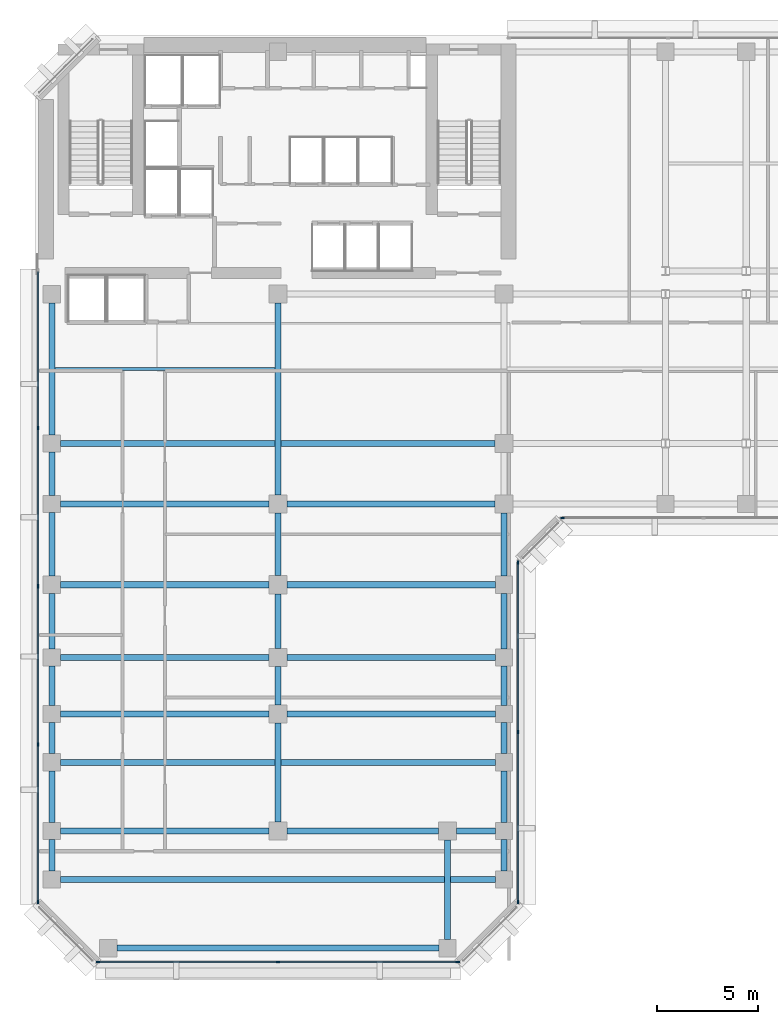
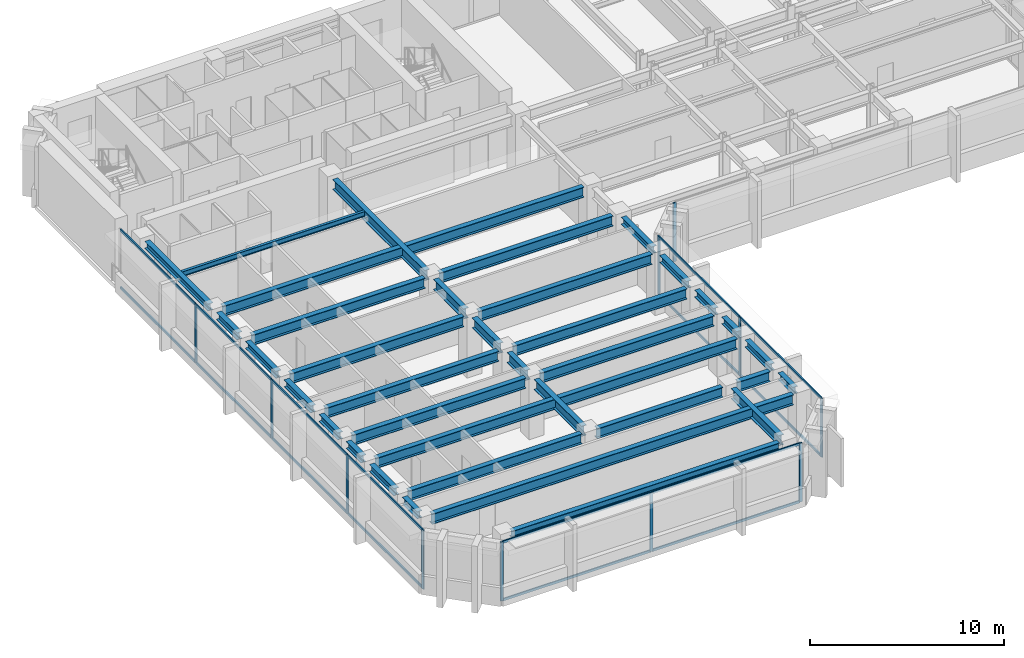
# One storey, part 2 of 11: 36 beams, 27 members, 4 elements without a shape of their own.
"""IFC4 building model written with IfcOpenShell, lengths in metres."""

from ifc_helpers import new_model, si_unit, direction, frame, origin, origin_2d, place, context, subcontext, project, spatial, rectangle, i_section, extrude, material, layer, layer_set, material_profile, profile_set, type_object, element, aggregate, save


model = new_model("IFC4")

# Units and contexts
model_context = context("Model", 3, precision=1e-05, world=origin(), true_north=direction((0.0, 1.0)))
body_context = subcontext(model_context, "Body", "Model", "MODEL_VIEW")
ifc_project = project(units=[si_unit("LENGTHUNIT", "METRE"), si_unit("AREAUNIT", "SQUARE_METRE"), si_unit("VOLUMEUNIT", "CUBIC_METRE"), si_unit("PLANEANGLEUNIT", "RADIAN"), si_unit("MASSUNIT", "GRAM", prefix="KILO")], contexts=[model_context])

# Site, building, storey
site_placement = place(None, origin())
site = spatial("IfcSite", under=ifc_project, at=site_placement, CompositionType="ELEMENT")
building_placement = place(site_placement, origin())
building = spatial("IfcBuilding", under=site, at=building_placement, Name="Kefirva Bronze Tower", CompositionType="ELEMENT")
storey_placement = place(building_placement, frame((0.0, 0.0, 134.969970703125)))
storey = spatial("IfcBuildingStorey", under=building, at=storey_placement, Name="L32", CompositionType="ELEMENT", Elevation=134.969970703125)

# Curtain wall, members
ifc_material_1 = material(Name="Bronze anodised aluminium", Category="aluminium")
ifc_layer = layer(ifc_material_1, 0.199951171875, Name="Bronze anodised aluminium")
ifc_layer_set = layer_set([ifc_layer], Name="Bronze anodised aluminium")
curtain_wall_type = type_object("IfcCurtainWallType", Name="Unitised Bronze Ribbon Curtain Wall Zone 2", PredefinedType="USERDEFINED", material=ifc_layer_set)
curtain_wall_1_placement = place(storey_placement, origin())
curtain_wall_1 = element("IfcCurtainWall", 1, at=curtain_wall_1_placement, inside=storey, type_object=curtain_wall_type, Name="L32 Curtain Wall 1", ObjectType="UNITISED CURTAIN WALL", PredefinedType="USERDEFINED")
ifc_material_profile_1 = material_profile(ifc_material_1, rectangle(XDim=0.074951171875, YDim=0.179931640625, at=origin_2d()), Name="ALU 75x180")
ifc_profile_set_1 = profile_set([ifc_material_profile_1], Name="Bronze anodised aluminium")
member_type_1 = type_object("IfcMemberType", Name="Bronze Mullion 75x180", PredefinedType="MULLION", material=ifc_profile_set_1)
member_1_placement = place(storey_placement, frame((3.092529296875, 0.1201171875, 0.0), z_axis=(0.0, 0.0, 1.0), x_axis=(0.0, 1.0, 0.0)))
member_1 = element("IfcMember", 2, at=member_1_placement, type_object=member_type_1, Name="CW-02 mullion 1", PredefinedType="MULLION", context=body_context, shape_type="SweptSolid", body=[
    extrude(rectangle(XDim=0.074951171875, YDim=0.179931640625, at=origin_2d()), origin(), (0.0, 0.0, 1.0), 3.7099609375),
])
member_2_placement = place(storey_placement, frame((12.0, 0.1201171875, 0.0), z_axis=(0.0, 0.0, 1.0), x_axis=(0.0, 1.0, 0.0)))
member_2 = element("IfcMember", 3, at=member_2_placement, type_object=member_type_1, Name="CW-02 mullion 2", PredefinedType="MULLION", context=body_context, shape_type="SweptSolid", body=[
    extrude(rectangle(XDim=0.074951171875, YDim=0.179931640625, at=origin_2d()), origin(), (0.0, 0.0, 1.0), 3.7099609375),
])
member_3_placement = place(storey_placement, frame((20.907470703125, 0.1201171875, 0.0), z_axis=(0.0, 0.0, 1.0), x_axis=(0.0, 1.0, 0.0)))
member_3 = element("IfcMember", 4, at=member_3_placement, type_object=member_type_1, Name="CW-02 mullion 3", PredefinedType="MULLION", context=body_context, shape_type="SweptSolid", body=[
    extrude(rectangle(XDim=0.074951171875, YDim=0.179931640625, at=origin_2d()), origin(), (0.0, 0.0, 1.0), 3.7099609375),
])

curtain_wall_2_placement = place(storey_placement, origin())
curtain_wall_2 = element("IfcCurtainWall", 5, at=curtain_wall_2_placement, inside=storey, type_object=curtain_wall_type, Name="L32 Curtain Wall 2", ObjectType="UNITISED CURTAIN WALL", PredefinedType="USERDEFINED")
member_4_placement = place(storey_placement, frame((23.8798828125, 3.092529296875, 0.0), z_axis=(0.0, 0.0, 1.0), x_axis=(-1.0, 0.0, 0.0)))
member_4 = element("IfcMember", 6, at=member_4_placement, type_object=member_type_1, Name="CW-02 mullion 1", PredefinedType="MULLION", context=body_context, shape_type="SweptSolid", body=[
    extrude(rectangle(XDim=0.074951171875, YDim=0.179931640625, at=origin_2d()), origin(), (0.0, 0.0, 1.0), 3.7099609375),
])
member_5_placement = place(storey_placement, frame((23.8798828125, 11.5, 0.0), z_axis=(0.0, 0.0, 1.0), x_axis=(-1.0, 0.0, 0.0)))
member_5 = element("IfcMember", 7, at=member_5_placement, type_object=member_type_1, Name="CW-02 mullion 2", PredefinedType="MULLION", context=body_context, shape_type="SweptSolid", body=[
    extrude(rectangle(XDim=0.074951171875, YDim=0.179931640625, at=origin_2d()), origin(), (0.0, 0.0, 1.0), 3.7099609375),
])
member_6_placement = place(storey_placement, frame((23.8798828125, 19.907470703125, 0.0), z_axis=(0.0, 0.0, 1.0), x_axis=(-1.0, 0.0, 0.0)))
member_6 = element("IfcMember", 8, at=member_6_placement, type_object=member_type_1, Name="CW-02 mullion 3", PredefinedType="MULLION", context=body_context, shape_type="SweptSolid", body=[
    extrude(rectangle(XDim=0.074951171875, YDim=0.179931640625, at=origin_2d()), origin(), (0.0, 0.0, 1.0), 3.7099609375),
])

# Curtain wall, member
curtain_wall_3_placement = place(storey_placement, origin())
curtain_wall_3 = element("IfcCurtainWall", 9, at=curtain_wall_3_placement, inside=storey, type_object=curtain_wall_type, Name="L32 Curtain Wall 3", ObjectType="UNITISED CURTAIN WALL", PredefinedType="USERDEFINED")
member_7_placement = place(storey_placement, frame((26.092529296875, 22.1201171875, 0.0), z_axis=(0.0, 0.0, 1.0), x_axis=(0.0, 1.0, 0.0)))
member_7 = element("IfcMember", 10, at=member_7_placement, type_object=member_type_1, Name="CW-02 mullion 1", PredefinedType="MULLION", context=body_context, shape_type="SweptSolid", body=[
    extrude(rectangle(XDim=0.074951171875, YDim=0.179931640625, at=origin_2d()), origin(), (0.0, 0.0, 1.0), 3.7099609375),
])
aggregate(curtain_wall_3, [member_7])

# Curtain wall, members
curtain_wall_4_placement = place(storey_placement, origin())
curtain_wall_4 = element("IfcCurtainWall", 11, at=curtain_wall_4_placement, inside=storey, type_object=curtain_wall_type, Name="L32 Curtain Wall 6", ObjectType="UNITISED CURTAIN WALL", PredefinedType="USERDEFINED")
member_8_placement = place(storey_placement, frame((0.1201171875, 26.56005859375, 0.0), z_axis=(0.0, 0.0, 1.0), x_axis=(1.0, 0.0, 0.0)))
member_8 = element("IfcMember", 12, at=member_8_placement, type_object=member_type_1, Name="CW-02 mullion 2", PredefinedType="MULLION", context=body_context, shape_type="SweptSolid", body=[
    extrude(rectangle(XDim=0.074951171875, YDim=0.179931640625, at=origin_2d()), origin(), (0.0, 0.0, 1.0), 3.7099609375),
])
member_9_placement = place(storey_placement, frame((0.1201171875, 18.72509765625, 0.0), z_axis=(0.0, 0.0, 1.0), x_axis=(1.0, 0.0, 0.0)))
member_9 = element("IfcMember", 13, at=member_9_placement, type_object=member_type_1, Name="CW-02 mullion 3", PredefinedType="MULLION", context=body_context, shape_type="SweptSolid", body=[
    extrude(rectangle(XDim=0.074951171875, YDim=0.179931640625, at=origin_2d()), origin(), (0.0, 0.0, 1.0), 3.7099609375),
])
member_10_placement = place(storey_placement, frame((0.1201171875, 10.889892578125, 0.0), z_axis=(0.0, 0.0, 1.0), x_axis=(1.0, 0.0, 0.0)))
member_10 = element("IfcMember", 14, at=member_10_placement, type_object=member_type_1, Name="CW-02 mullion 4", PredefinedType="MULLION", context=body_context, shape_type="SweptSolid", body=[
    extrude(rectangle(XDim=0.074951171875, YDim=0.179931640625, at=origin_2d()), origin(), (0.0, 0.0, 1.0), 3.7099609375),
])
member_11_placement = place(storey_placement, frame((0.1201171875, 3.092529296875, 0.0), z_axis=(0.0, 0.0, 1.0), x_axis=(1.0, 0.0, 0.0)))
member_11 = element("IfcMember", 15, at=member_11_placement, type_object=member_type_1, Name="CW-02 mullion 5", PredefinedType="MULLION", context=body_context, shape_type="SweptSolid", body=[
    extrude(rectangle(XDim=0.074951171875, YDim=0.179931640625, at=origin_2d()), origin(), (0.0, 0.0, 1.0), 3.7099609375),
])

# Member
ifc_material_profile_2 = material_profile(ifc_material_1, rectangle(XDim=0.074951171875, YDim=0.14990234375, at=origin_2d()), Name="ALU 75x150")
ifc_profile_set_2 = profile_set([ifc_material_profile_2], Name="Bronze anodised aluminium")
member_type_2 = type_object("IfcMemberType", Name="Bronze Transom 75x150", PredefinedType="USERDEFINED", material=ifc_profile_set_2)
member_12_placement = place(storey_placement, frame((3.1298828125, 0.1201171875, 0.03759765625), z_axis=(1.0, 0.0, 0.0), x_axis=(0.0, 1.0, 0.0)))
member_12 = element("IfcMember", 16, at=member_12_placement, type_object=member_type_2, Name="CW-02 transom 1.1", ObjectType="TRANSOM", PredefinedType="USERDEFINED", context=body_context, shape_type="SweptSolid", body=[
    extrude(rectangle(XDim=0.074951171875, YDim=0.14990234375, at=origin_2d()), origin(), (0.0, 0.0, 1.0), 8.83251953125),
])

member_13_placement = place(storey_placement, frame((3.1298828125, 0.1201171875, 3.672607421875), z_axis=(1.0, 0.0, 0.0), x_axis=(0.0, 1.0, 0.0)))
member_13 = element("IfcMember", 17, at=member_13_placement, type_object=member_type_2, Name="CW-02 transom 1.2", ObjectType="TRANSOM", PredefinedType="USERDEFINED", context=body_context, shape_type="SweptSolid", body=[
    extrude(rectangle(XDim=0.074951171875, YDim=0.14990234375, at=origin_2d()), origin(), (0.0, 0.0, 1.0), 8.83251953125),
])

member_14_placement = place(storey_placement, frame((12.03759765625, 0.1201171875, 0.03759765625), z_axis=(1.0, 0.0, 0.0), x_axis=(0.0, 1.0, 0.0)))
member_14 = element("IfcMember", 18, at=member_14_placement, type_object=member_type_2, Name="CW-02 transom 2.1", ObjectType="TRANSOM", PredefinedType="USERDEFINED", context=body_context, shape_type="SweptSolid", body=[
    extrude(rectangle(XDim=0.074951171875, YDim=0.14990234375, at=origin_2d()), origin(), (0.0, 0.0, 1.0), 8.83251953125),
])

member_15_placement = place(storey_placement, frame((12.03759765625, 0.1201171875, 3.672607421875), z_axis=(1.0, 0.0, 0.0), x_axis=(0.0, 1.0, 0.0)))
member_15 = element("IfcMember", 19, at=member_15_placement, type_object=member_type_2, Name="CW-02 transom 2.2", ObjectType="TRANSOM", PredefinedType="USERDEFINED", context=body_context, shape_type="SweptSolid", body=[
    extrude(rectangle(XDim=0.074951171875, YDim=0.14990234375, at=origin_2d()), origin(), (0.0, 0.0, 1.0), 8.83251953125),
])

aggregate(curtain_wall_1, [member_1, member_2, member_3, member_12, member_13, member_14, member_15])

member_16_placement = place(storey_placement, frame((23.8798828125, 3.1298828125, 0.03759765625), z_axis=(0.0, 1.0, 0.0), x_axis=(-1.0, 0.0, 0.0)))
member_16 = element("IfcMember", 20, at=member_16_placement, type_object=member_type_2, Name="CW-02 transom 1.1", ObjectType="TRANSOM", PredefinedType="USERDEFINED", context=body_context, shape_type="SweptSolid", body=[
    extrude(rectangle(XDim=0.074951171875, YDim=0.14990234375, at=origin_2d()), origin(), (0.0, 0.0, 1.0), 8.33251953125),
])

member_17_placement = place(storey_placement, frame((23.8798828125, 3.1298828125, 3.672607421875), z_axis=(0.0, 1.0, 0.0), x_axis=(-1.0, 0.0, 0.0)))
member_17 = element("IfcMember", 21, at=member_17_placement, type_object=member_type_2, Name="CW-02 transom 1.2", ObjectType="TRANSOM", PredefinedType="USERDEFINED", context=body_context, shape_type="SweptSolid", body=[
    extrude(rectangle(XDim=0.074951171875, YDim=0.14990234375, at=origin_2d()), origin(), (0.0, 0.0, 1.0), 8.33251953125),
])

member_18_placement = place(storey_placement, frame((23.8798828125, 11.53759765625, 0.03759765625), z_axis=(0.0, 1.0, 0.0), x_axis=(-1.0, 0.0, 0.0)))
member_18 = element("IfcMember", 22, at=member_18_placement, type_object=member_type_2, Name="CW-02 transom 2.1", ObjectType="TRANSOM", PredefinedType="USERDEFINED", context=body_context, shape_type="SweptSolid", body=[
    extrude(rectangle(XDim=0.074951171875, YDim=0.14990234375, at=origin_2d()), origin(), (0.0, 0.0, 1.0), 8.33251953125),
])

member_19_placement = place(storey_placement, frame((23.8798828125, 11.53759765625, 3.672607421875), z_axis=(0.0, 1.0, 0.0), x_axis=(-1.0, 0.0, 0.0)))
member_19 = element("IfcMember", 23, at=member_19_placement, type_object=member_type_2, Name="CW-02 transom 2.2", ObjectType="TRANSOM", PredefinedType="USERDEFINED", context=body_context, shape_type="SweptSolid", body=[
    extrude(rectangle(XDim=0.074951171875, YDim=0.14990234375, at=origin_2d()), origin(), (0.0, 0.0, 1.0), 8.33251953125),
])

aggregate(curtain_wall_2, [member_4, member_5, member_6, member_16, member_17, member_18, member_19])

member_20_placement = place(storey_placement, frame((0.1201171875, 34.320068359375, 0.03759765625), z_axis=(0.0, -1.0, 0.0), x_axis=(1.0, 0.0, 0.0)))
member_20 = element("IfcMember", 24, at=member_20_placement, type_object=member_type_2, Name="CW-02 transom 1.1", ObjectType="TRANSOM", PredefinedType="USERDEFINED", context=body_context, shape_type="SweptSolid", body=[
    extrude(rectangle(XDim=0.074951171875, YDim=0.14990234375, at=origin_2d()), origin(), (0.0, 0.0, 1.0), 7.72265625),
])

member_21_placement = place(storey_placement, frame((0.1201171875, 34.320068359375, 3.672607421875), z_axis=(0.0, -1.0, 0.0), x_axis=(1.0, 0.0, 0.0)))
member_21 = element("IfcMember", 25, at=member_21_placement, type_object=member_type_2, Name="CW-02 transom 1.2", ObjectType="TRANSOM", PredefinedType="USERDEFINED", context=body_context, shape_type="SweptSolid", body=[
    extrude(rectangle(XDim=0.074951171875, YDim=0.14990234375, at=origin_2d()), origin(), (0.0, 0.0, 1.0), 7.72265625),
])

member_22_placement = place(storey_placement, frame((0.1201171875, 26.5224609375, 0.03759765625), z_axis=(0.0, -1.0, 0.0), x_axis=(1.0, 0.0, 0.0)))
member_22 = element("IfcMember", 26, at=member_22_placement, type_object=member_type_2, Name="CW-02 transom 2.1", ObjectType="TRANSOM", PredefinedType="USERDEFINED", context=body_context, shape_type="SweptSolid", body=[
    extrude(rectangle(XDim=0.074951171875, YDim=0.14990234375, at=origin_2d()), origin(), (0.0, 0.0, 1.0), 7.760009765625),
])

member_23_placement = place(storey_placement, frame((0.1201171875, 26.5224609375, 3.672607421875), z_axis=(0.0, -1.0, 0.0), x_axis=(1.0, 0.0, 0.0)))
member_23 = element("IfcMember", 27, at=member_23_placement, type_object=member_type_2, Name="CW-02 transom 2.2", ObjectType="TRANSOM", PredefinedType="USERDEFINED", context=body_context, shape_type="SweptSolid", body=[
    extrude(rectangle(XDim=0.074951171875, YDim=0.14990234375, at=origin_2d()), origin(), (0.0, 0.0, 1.0), 7.760009765625),
])

member_24_placement = place(storey_placement, frame((0.1201171875, 18.6875, 0.03759765625), z_axis=(0.0, -1.0, 0.0), x_axis=(1.0, 0.0, 0.0)))
member_24 = element("IfcMember", 28, at=member_24_placement, type_object=member_type_2, Name="CW-02 transom 3.1", ObjectType="TRANSOM", PredefinedType="USERDEFINED", context=body_context, shape_type="SweptSolid", body=[
    extrude(rectangle(XDim=0.074951171875, YDim=0.14990234375, at=origin_2d()), origin(), (0.0, 0.0, 1.0), 7.760009765625),
])

member_25_placement = place(storey_placement, frame((0.1201171875, 18.6875, 3.672607421875), z_axis=(0.0, -1.0, 0.0), x_axis=(1.0, 0.0, 0.0)))
member_25 = element("IfcMember", 29, at=member_25_placement, type_object=member_type_2, Name="CW-02 transom 3.2", ObjectType="TRANSOM", PredefinedType="USERDEFINED", context=body_context, shape_type="SweptSolid", body=[
    extrude(rectangle(XDim=0.074951171875, YDim=0.14990234375, at=origin_2d()), origin(), (0.0, 0.0, 1.0), 7.760009765625),
])

member_26_placement = place(storey_placement, frame((0.1201171875, 10.8525390625, 0.03759765625), z_axis=(0.0, -1.0, 0.0), x_axis=(1.0, 0.0, 0.0)))
member_26 = element("IfcMember", 30, at=member_26_placement, type_object=member_type_2, Name="CW-02 transom 4.1", ObjectType="TRANSOM", PredefinedType="USERDEFINED", context=body_context, shape_type="SweptSolid", body=[
    extrude(rectangle(XDim=0.074951171875, YDim=0.14990234375, at=origin_2d()), origin(), (0.0, 0.0, 1.0), 7.72265625),
])

member_27_placement = place(storey_placement, frame((0.1201171875, 10.8525390625, 3.672607421875), z_axis=(0.0, -1.0, 0.0), x_axis=(1.0, 0.0, 0.0)))
member_27 = element("IfcMember", 31, at=member_27_placement, type_object=member_type_2, Name="CW-02 transom 4.2", ObjectType="TRANSOM", PredefinedType="USERDEFINED", context=body_context, shape_type="SweptSolid", body=[
    extrude(rectangle(XDim=0.074951171875, YDim=0.14990234375, at=origin_2d()), origin(), (0.0, 0.0, 1.0), 7.72265625),
])

aggregate(curtain_wall_4, [member_8, member_9, member_10, member_11, member_20, member_21, member_22, member_23, member_24, member_25, member_26, member_27])

# Beams
ifc_material_2 = material(Name="Steel S355", Category="steel")
ifc_material_profile_3 = material_profile(ifc_material_2, i_section(OverallWidth=0.159912109375, OverallDepth=0.330078125, WebThickness=0.007568359375, FlangeThickness=0.011474609375, at=origin_2d()), Name="IPE 330")
ifc_profile_set_3 = profile_set([ifc_material_profile_3], Name="Steel S355")
beam_type_1 = type_object("IfcBeamType", Name="Steel Floor Joist IPE 330", PredefinedType="JOIST", material=ifc_profile_set_3)
beam_1_placement = place(storey_placement, frame((0.949951171875, 29.489990234375, 3.544921875), z_axis=(1.0, 0.0, 0.0), x_axis=(0.0, 1.0, 0.0)))
element("IfcBeam", 32, at=beam_1_placement, inside=storey, type_object=beam_type_1, Name="L32 JST-L32-0-294", PredefinedType="JOIST", context=body_context, shape_type="SweptSolid", body=[
    extrude(i_section(OverallWidth=0.159912109375, OverallDepth=0.330078125, WebThickness=0.007568359375, FlangeThickness=0.011474609375, at=origin_2d()), origin(), (0.0, 0.0, 1.0), 10.900146484375),
])
ifc_material_profile_4 = material_profile(ifc_material_2, i_section(OverallWidth=0.300048828125, OverallDepth=0.64990234375, WebThickness=0.01611328125, FlangeThickness=0.031005859375, at=origin_2d()), Name="HEB 650")
ifc_profile_set_4 = profile_set([ifc_material_profile_4], Name="Steel S355")
beam_type_2 = type_object("IfcBeamType", Name="Steel Girder HEB 650", PredefinedType="USERDEFINED", material=ifc_profile_set_4)
beam_2_placement = place(storey_placement, frame((1.22998046875, 4.199951171875, 3.385009765625), z_axis=(1.0, 0.0, 0.0), x_axis=(0.0, 1.0, 0.0)))
element("IfcBeam", 33, at=beam_2_placement, inside=storey, type_object=beam_type_2, Name="L32 BM-L32-EW-0-42", ObjectType="GIRDER", PredefinedType="USERDEFINED", context=body_context, shape_type="SweptSolid", body=[
    extrude(i_section(OverallWidth=0.300048828125, OverallDepth=0.64990234375, WebThickness=0.01611328125, FlangeThickness=0.031005859375, at=origin_2d()), origin(), (0.0, 0.0, 1.0), 21.5400390625),
])
beam_3_placement = place(storey_placement, frame((1.22998046875, 6.60009765625, 3.385009765625), z_axis=(1.0, 0.0, 0.0), x_axis=(0.0, 1.0, 0.0)))
element("IfcBeam", 34, at=beam_3_placement, inside=storey, type_object=beam_type_2, Name="L32 BM-L32-EW-0-66", ObjectType="GIRDER", PredefinedType="USERDEFINED", context=body_context, shape_type="SweptSolid", body=[
    extrude(i_section(OverallWidth=0.300048828125, OverallDepth=0.64990234375, WebThickness=0.01611328125, FlangeThickness=0.031005859375, at=origin_2d()), origin(), (0.0, 0.0, 1.0), 10.320068359375),
])
beam_4_placement = place(storey_placement, frame((12.449951171875, 6.60009765625, 3.385009765625), z_axis=(1.0, 0.0, 0.0), x_axis=(0.0, 1.0, 0.0)))
element("IfcBeam", 35, at=beam_4_placement, inside=storey, type_object=beam_type_2, Name="L32 BM-L32-EW-12-66", ObjectType="GIRDER", PredefinedType="USERDEFINED", context=body_context, shape_type="SweptSolid", body=[
    extrude(i_section(OverallWidth=0.300048828125, OverallDepth=0.64990234375, WebThickness=0.01611328125, FlangeThickness=0.031005859375, at=origin_2d()), origin(), (0.0, 0.0, 1.0), 7.5),
])
beam_5_placement = place(storey_placement, frame((20.85009765625, 6.60009765625, 3.385009765625), z_axis=(1.0, 0.0, 0.0), x_axis=(0.0, 1.0, 0.0)))
element("IfcBeam", 36, at=beam_5_placement, inside=storey, type_object=beam_type_2, Name="L32 BM-L32-EW-20-66", ObjectType="GIRDER", PredefinedType="USERDEFINED", context=body_context, shape_type="SweptSolid", body=[
    extrude(i_section(OverallWidth=0.300048828125, OverallDepth=0.64990234375, WebThickness=0.01611328125, FlangeThickness=0.031005859375, at=origin_2d()), origin(), (0.0, 0.0, 1.0), 1.919921875),
])
beam_6_placement = place(storey_placement, frame((1.22998046875, 10.0, 3.385009765625), z_axis=(1.0, 0.0, 0.0), x_axis=(0.0, 1.0, 0.0)))
element("IfcBeam", 37, at=beam_6_placement, inside=storey, type_object=beam_type_2, Name="L32 BM-L32-EW-0-100", ObjectType="GIRDER", PredefinedType="USERDEFINED", context=body_context, shape_type="SweptSolid", body=[
    extrude(i_section(OverallWidth=0.300048828125, OverallDepth=0.64990234375, WebThickness=0.01611328125, FlangeThickness=0.031005859375, at=origin_2d()), origin(), (0.0, 0.0, 1.0), 21.5400390625),
])
for number, where, z_axis, x_axis, name in (
    (38, (1.22998046875, 12.39990234375, 3.385009765625), (1.0, 0.0, 0.0), (0.0, 1.0, 0.0), "L32 BM-L32-EW-0-124"),
    (39, (12.449951171875, 12.39990234375, 3.385009765625), (1.0, 0.0, 0.0), (0.0, 1.0, 0.0), "L32 BM-L32-EW-12-124"),
    (40, (1.22998046875, 15.199951171875, 3.385009765625), (1.0, 0.0, 0.0), (0.0, 1.0, 0.0), "L32 BM-L32-EW-0-152"),
    (41, (12.449951171875, 15.199951171875, 3.385009765625), (1.0, 0.0, 0.0), (0.0, 1.0, 0.0), "L32 BM-L32-EW-12-152"),
    (42, (1.22998046875, 18.800048828125, 3.385009765625), (1.0, 0.0, 0.0), (0.0, 1.0, 0.0), "L32 BM-L32-EW-0-188"),
    (43, (12.449951171875, 18.800048828125, 3.385009765625), (1.0, 0.0, 0.0), (0.0, 1.0, 0.0), "L32 BM-L32-EW-12-188"),
    (44, (1.22998046875, 22.800048828125, 3.385009765625), (1.0, 0.0, 0.0), (0.0, 1.0, 0.0), "L32 BM-L32-EW-0-228"),
):
    element("IfcBeam", number, at=place(storey_placement, frame(where, z_axis=z_axis, x_axis=x_axis)), inside=storey, type_object=beam_type_2, Name=name, ObjectType="GIRDER", PredefinedType="USERDEFINED", context=body_context, shape_type="SweptSolid", body=[
        extrude(i_section(OverallWidth=0.300048828125, OverallDepth=0.64990234375, WebThickness=0.01611328125, FlangeThickness=0.031005859375, at=origin_2d()), origin(), (0.0, 0.0, 1.0), 10.320068359375),
    ])
beam_7_placement = place(storey_placement, frame((12.449951171875, 22.800048828125, 3.385009765625), z_axis=(1.0, 0.0, 0.0), x_axis=(0.0, 1.0, 0.0)))
element("IfcBeam", 45, at=beam_7_placement, inside=storey, type_object=beam_type_2, Name="L32 BM-L32-EW-12-228", ObjectType="GIRDER", PredefinedType="USERDEFINED", context=body_context, shape_type="SweptSolid", body=[
    extrude(i_section(OverallWidth=0.300048828125, OverallDepth=0.64990234375, WebThickness=0.01611328125, FlangeThickness=0.031005859375, at=origin_2d()), origin(), (0.0, 0.0, 1.0), 10.300048828125),
])
beam_8_placement = place(storey_placement, frame((1.22998046875, 25.800048828125, 3.385009765625), z_axis=(1.0, 0.0, 0.0), x_axis=(0.0, 1.0, 0.0)))
element("IfcBeam", 46, at=beam_8_placement, inside=storey, type_object=beam_type_2, Name="L32 BM-L32-EW-0-258", ObjectType="GIRDER", PredefinedType="USERDEFINED", context=body_context, shape_type="SweptSolid", body=[
    extrude(i_section(OverallWidth=0.300048828125, OverallDepth=0.64990234375, WebThickness=0.01611328125, FlangeThickness=0.031005859375, at=origin_2d()), origin(), (0.0, 0.0, 1.0), 21.52001953125),
])
beam_9_placement = place(storey_placement, frame((12.0, 7.050048828125, 3.385009765625), z_axis=(0.0, 1.0, 0.0), x_axis=(-1.0, 0.0, 0.0)))
element("IfcBeam", 47, at=beam_9_placement, inside=storey, type_object=beam_type_2, Name="L32 BM-L32-NS-120-6", ObjectType="GIRDER", PredefinedType="USERDEFINED", context=body_context, shape_type="SweptSolid", body=[
    extrude(i_section(OverallWidth=0.300048828125, OverallDepth=0.64990234375, WebThickness=0.01611328125, FlangeThickness=0.031005859375, at=origin_2d()), origin(), (0.0, 0.0, 1.0), 4.89990234375),
])
beam_10_placement = place(storey_placement, frame((12.0, 12.85009765625, 3.385009765625), z_axis=(0.0, 1.0, 0.0), x_axis=(-1.0, 0.0, 0.0)))
element("IfcBeam", 48, at=beam_10_placement, inside=storey, type_object=beam_type_2, Name="L32 BM-L32-NS-120-12", ObjectType="GIRDER", PredefinedType="USERDEFINED", context=body_context, shape_type="SweptSolid", body=[
    extrude(i_section(OverallWidth=0.300048828125, OverallDepth=0.64990234375, WebThickness=0.01611328125, FlangeThickness=0.031005859375, at=origin_2d()), origin(), (0.0, 0.0, 1.0), 1.89990234375),
])
beam_11_placement = place(storey_placement, frame((12.0, 15.64990234375, 3.385009765625), z_axis=(0.0, 1.0, 0.0), x_axis=(-1.0, 0.0, 0.0)))
element("IfcBeam", 49, at=beam_11_placement, inside=storey, type_object=beam_type_2, Name="L32 BM-L32-NS-120-15", ObjectType="GIRDER", PredefinedType="USERDEFINED", context=body_context, shape_type="SweptSolid", body=[
    extrude(i_section(OverallWidth=0.300048828125, OverallDepth=0.64990234375, WebThickness=0.01611328125, FlangeThickness=0.031005859375, at=origin_2d()), origin(), (0.0, 0.0, 1.0), 2.7001953125),
])
beam_12_placement = place(storey_placement, frame((12.0, 19.25, 3.385009765625), z_axis=(0.0, 1.0, 0.0), x_axis=(-1.0, 0.0, 0.0)))
element("IfcBeam", 50, at=beam_12_placement, inside=storey, type_object=beam_type_2, Name="L32 BM-L32-NS-120-18", ObjectType="GIRDER", PredefinedType="USERDEFINED", context=body_context, shape_type="SweptSolid", body=[
    extrude(i_section(OverallWidth=0.300048828125, OverallDepth=0.64990234375, WebThickness=0.01611328125, FlangeThickness=0.031005859375, at=origin_2d()), origin(), (0.0, 0.0, 1.0), 3.10009765625),
])
beam_13_placement = place(storey_placement, frame((12.0, 23.25, 3.385009765625), z_axis=(0.0, 1.0, 0.0), x_axis=(-1.0, 0.0, 0.0)))
element("IfcBeam", 51, at=beam_13_placement, inside=storey, type_object=beam_type_2, Name="L32 BM-L32-NS-120-22", ObjectType="GIRDER", PredefinedType="USERDEFINED", context=body_context, shape_type="SweptSolid", body=[
    extrude(i_section(OverallWidth=0.300048828125, OverallDepth=0.64990234375, WebThickness=0.01611328125, FlangeThickness=0.031005859375, at=origin_2d()), origin(), (0.0, 0.0, 1.0), 9.5),
])
beam_14_placement = place(storey_placement, frame((20.39990234375, 1.22998046875, 3.385009765625), z_axis=(0.0, 1.0, 0.0), x_axis=(-1.0, 0.0, 0.0)))
element("IfcBeam", 52, at=beam_14_placement, inside=storey, type_object=beam_type_2, Name="L32 BM-L32-NS-204-0", ObjectType="GIRDER", PredefinedType="USERDEFINED", context=body_context, shape_type="SweptSolid", body=[
    extrude(i_section(OverallWidth=0.300048828125, OverallDepth=0.64990234375, WebThickness=0.01611328125, FlangeThickness=0.031005859375, at=origin_2d()), origin(), (0.0, 0.0, 1.0), 4.919921875),
])
ifc_material_profile_5 = material_profile(ifc_material_2, i_section(OverallWidth=0.300048828125, OverallDepth=0.449951171875, WebThickness=0.013916015625, FlangeThickness=0.02587890625, at=origin_2d()), Name="HEB 450")
ifc_profile_set_5 = profile_set([ifc_material_profile_5], Name="Steel S355")
beam_type_3 = type_object("IfcBeamType", Name="Steel Spandrel HEB 450 Ext", PredefinedType="SPANDREL", material=ifc_profile_set_5)
beam_15_placement = place(storey_placement, frame((4.030029296875, 0.800048828125, 3.485107421875), z_axis=(1.0, 0.0, 0.0), x_axis=(0.0, 1.0, 0.0)))
element("IfcBeam", 53, at=beam_15_placement, inside=storey, type_object=beam_type_3, Name="L32 BM-L32-EW-3-8", PredefinedType="SPANDREL", context=body_context, shape_type="SweptSolid", body=[
    extrude(i_section(OverallWidth=0.300048828125, OverallDepth=0.449951171875, WebThickness=0.013916015625, FlangeThickness=0.02587890625, at=origin_2d()), origin(), (0.0, 0.0, 1.0), 15.93994140625),
])
beam_16_placement = place(storey_placement, frame((0.800048828125, 4.6298828125, 3.485107421875), z_axis=(0.0, 1.0, 0.0), x_axis=(-1.0, 0.0, 0.0)))
element("IfcBeam", 54, at=beam_16_placement, inside=storey, type_object=beam_type_3, Name="L32 BM-L32-NS-8-4", PredefinedType="SPANDREL", context=body_context, shape_type="SweptSolid", body=[
    extrude(i_section(OverallWidth=0.300048828125, OverallDepth=0.449951171875, WebThickness=0.013916015625, FlangeThickness=0.02587890625, at=origin_2d()), origin(), (0.0, 0.0, 1.0), 1.5400390625),
])
beam_17_placement = place(storey_placement, frame((0.800048828125, 7.030029296875, 3.485107421875), z_axis=(0.0, 1.0, 0.0), x_axis=(-1.0, 0.0, 0.0)))
element("IfcBeam", 55, at=beam_17_placement, inside=storey, type_object=beam_type_3, Name="L32 BM-L32-NS-8-6", PredefinedType="SPANDREL", context=body_context, shape_type="SweptSolid", body=[
    extrude(i_section(OverallWidth=0.300048828125, OverallDepth=0.449951171875, WebThickness=0.013916015625, FlangeThickness=0.02587890625, at=origin_2d()), origin(), (0.0, 0.0, 1.0), 2.5400390625),
])
beam_18_placement = place(storey_placement, frame((0.800048828125, 10.429931640625, 3.485107421875), z_axis=(0.0, 1.0, 0.0), x_axis=(-1.0, 0.0, 0.0)))
element("IfcBeam", 56, at=beam_18_placement, inside=storey, type_object=beam_type_3, Name="L32 BM-L32-NS-8-10", PredefinedType="SPANDREL", context=body_context, shape_type="SweptSolid", body=[
    extrude(i_section(OverallWidth=0.300048828125, OverallDepth=0.449951171875, WebThickness=0.013916015625, FlangeThickness=0.02587890625, at=origin_2d()), origin(), (0.0, 0.0, 1.0), 1.5400390625),
])
beam_19_placement = place(storey_placement, frame((0.800048828125, 12.830078125, 3.485107421875), z_axis=(0.0, 1.0, 0.0), x_axis=(-1.0, 0.0, 0.0)))
element("IfcBeam", 57, at=beam_19_placement, inside=storey, type_object=beam_type_3, Name="L32 BM-L32-NS-8-12", PredefinedType="SPANDREL", context=body_context, shape_type="SweptSolid", body=[
    extrude(i_section(OverallWidth=0.300048828125, OverallDepth=0.449951171875, WebThickness=0.013916015625, FlangeThickness=0.02587890625, at=origin_2d()), origin(), (0.0, 0.0, 1.0), 1.93994140625),
])
beam_20_placement = place(storey_placement, frame((0.800048828125, 15.6298828125, 3.485107421875), z_axis=(0.0, 1.0, 0.0), x_axis=(-1.0, 0.0, 0.0)))
element("IfcBeam", 58, at=beam_20_placement, inside=storey, type_object=beam_type_3, Name="L32 BM-L32-NS-8-15", PredefinedType="SPANDREL", context=body_context, shape_type="SweptSolid", body=[
    extrude(i_section(OverallWidth=0.300048828125, OverallDepth=0.449951171875, WebThickness=0.013916015625, FlangeThickness=0.02587890625, at=origin_2d()), origin(), (0.0, 0.0, 1.0), 2.740234375),
])
beam_21_placement = place(storey_placement, frame((0.800048828125, 19.22998046875, 3.485107421875), z_axis=(0.0, 1.0, 0.0), x_axis=(-1.0, 0.0, 0.0)))
element("IfcBeam", 59, at=beam_21_placement, inside=storey, type_object=beam_type_3, Name="L32 BM-L32-NS-8-18", PredefinedType="SPANDREL", context=body_context, shape_type="SweptSolid", body=[
    extrude(i_section(OverallWidth=0.300048828125, OverallDepth=0.449951171875, WebThickness=0.013916015625, FlangeThickness=0.02587890625, at=origin_2d()), origin(), (0.0, 0.0, 1.0), 3.14013671875),
])
beam_22_placement = place(storey_placement, frame((0.800048828125, 23.22998046875, 3.485107421875), z_axis=(0.0, 1.0, 0.0), x_axis=(-1.0, 0.0, 0.0)))
element("IfcBeam", 60, at=beam_22_placement, inside=storey, type_object=beam_type_3, Name="L32 BM-L32-NS-8-22", PredefinedType="SPANDREL", context=body_context, shape_type="SweptSolid", body=[
    extrude(i_section(OverallWidth=0.300048828125, OverallDepth=0.449951171875, WebThickness=0.013916015625, FlangeThickness=0.02587890625, at=origin_2d()), origin(), (0.0, 0.0, 1.0), 2.14013671875),
])
beam_23_placement = place(storey_placement, frame((0.800048828125, 26.22998046875, 3.485107421875), z_axis=(0.0, 1.0, 0.0), x_axis=(-1.0, 0.0, 0.0)))
element("IfcBeam", 61, at=beam_23_placement, inside=storey, type_object=beam_type_3, Name="L32 BM-L32-NS-8-25", PredefinedType="SPANDREL", context=body_context, shape_type="SweptSolid", body=[
    extrude(i_section(OverallWidth=0.300048828125, OverallDepth=0.449951171875, WebThickness=0.013916015625, FlangeThickness=0.02587890625, at=origin_2d()), origin(), (0.0, 0.0, 1.0), 6.5400390625),
])
beam_24_placement = place(storey_placement, frame((23.199951171875, 4.6298828125, 3.485107421875), z_axis=(0.0, 1.0, 0.0), x_axis=(-1.0, 0.0, 0.0)))
element("IfcBeam", 62, at=beam_24_placement, inside=storey, type_object=beam_type_3, Name="L32 BM-L32-NS-232-4", PredefinedType="SPANDREL", context=body_context, shape_type="SweptSolid", body=[
    extrude(i_section(OverallWidth=0.300048828125, OverallDepth=0.449951171875, WebThickness=0.013916015625, FlangeThickness=0.02587890625, at=origin_2d()), origin(), (0.0, 0.0, 1.0), 1.5400390625),
])
beam_25_placement = place(storey_placement, frame((23.199951171875, 7.030029296875, 3.485107421875), z_axis=(0.0, 1.0, 0.0), x_axis=(-1.0, 0.0, 0.0)))
element("IfcBeam", 63, at=beam_25_placement, inside=storey, type_object=beam_type_3, Name="L32 BM-L32-NS-232-6", PredefinedType="SPANDREL", context=body_context, shape_type="SweptSolid", body=[
    extrude(i_section(OverallWidth=0.300048828125, OverallDepth=0.449951171875, WebThickness=0.013916015625, FlangeThickness=0.02587890625, at=origin_2d()), origin(), (0.0, 0.0, 1.0), 2.5400390625),
])
beam_26_placement = place(storey_placement, frame((23.199951171875, 10.429931640625, 3.485107421875), z_axis=(0.0, 1.0, 0.0), x_axis=(-1.0, 0.0, 0.0)))
element("IfcBeam", 64, at=beam_26_placement, inside=storey, type_object=beam_type_3, Name="L32 BM-L32-NS-232-10", PredefinedType="SPANDREL", context=body_context, shape_type="SweptSolid", body=[
    extrude(i_section(OverallWidth=0.300048828125, OverallDepth=0.449951171875, WebThickness=0.013916015625, FlangeThickness=0.02587890625, at=origin_2d()), origin(), (0.0, 0.0, 1.0), 1.5400390625),
])
beam_27_placement = place(storey_placement, frame((23.199951171875, 12.830078125, 3.485107421875), z_axis=(0.0, 1.0, 0.0), x_axis=(-1.0, 0.0, 0.0)))
element("IfcBeam", 65, at=beam_27_placement, inside=storey, type_object=beam_type_3, Name="L32 BM-L32-NS-232-12", PredefinedType="SPANDREL", context=body_context, shape_type="SweptSolid", body=[
    extrude(i_section(OverallWidth=0.300048828125, OverallDepth=0.449951171875, WebThickness=0.013916015625, FlangeThickness=0.02587890625, at=origin_2d()), origin(), (0.0, 0.0, 1.0), 1.93994140625),
])
beam_28_placement = place(storey_placement, frame((23.199951171875, 15.6298828125, 3.485107421875), z_axis=(0.0, 1.0, 0.0), x_axis=(-1.0, 0.0, 0.0)))
element("IfcBeam", 66, at=beam_28_placement, inside=storey, type_object=beam_type_3, Name="L32 BM-L32-NS-232-15", PredefinedType="SPANDREL", context=body_context, shape_type="SweptSolid", body=[
    extrude(i_section(OverallWidth=0.300048828125, OverallDepth=0.449951171875, WebThickness=0.013916015625, FlangeThickness=0.02587890625, at=origin_2d()), origin(), (0.0, 0.0, 1.0), 2.740234375),
])
beam_29_placement = place(storey_placement, frame((23.199951171875, 19.22998046875, 3.485107421875), z_axis=(0.0, 1.0, 0.0), x_axis=(-1.0, 0.0, 0.0)))
element("IfcBeam", 67, at=beam_29_placement, inside=storey, type_object=beam_type_3, Name="L32 BM-L32-NS-232-18", PredefinedType="SPANDREL", context=body_context, shape_type="SweptSolid", body=[
    extrude(i_section(OverallWidth=0.300048828125, OverallDepth=0.449951171875, WebThickness=0.013916015625, FlangeThickness=0.02587890625, at=origin_2d()), origin(), (0.0, 0.0, 1.0), 3.1201171875),
])

save(model, "model.ifc")
